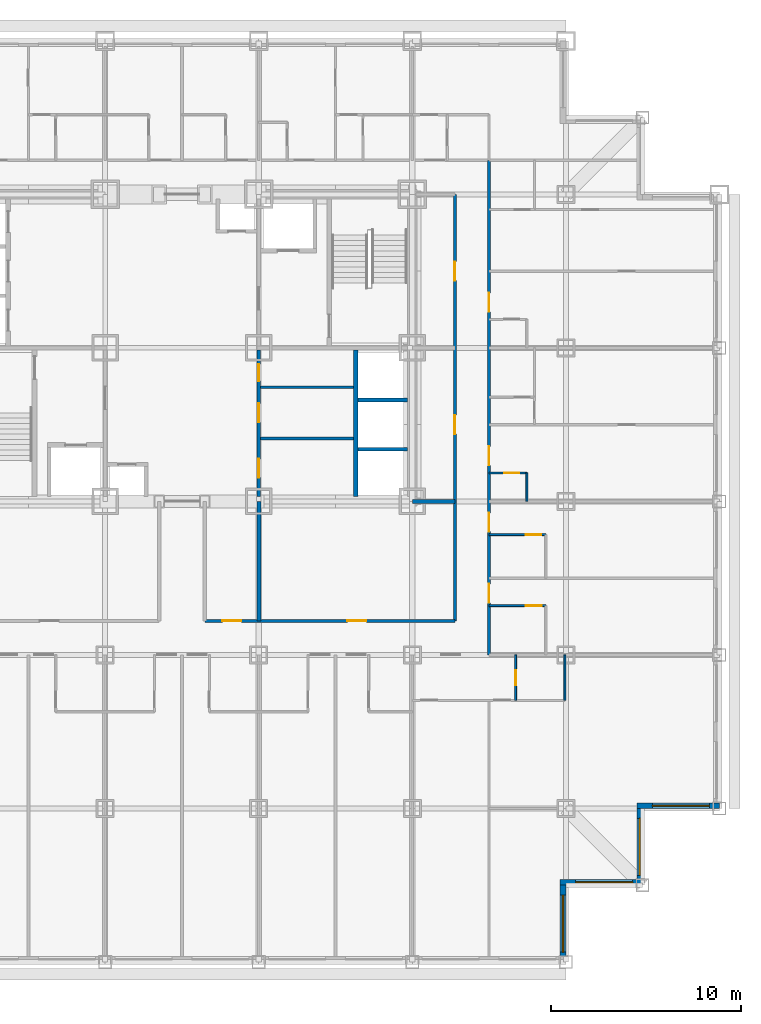
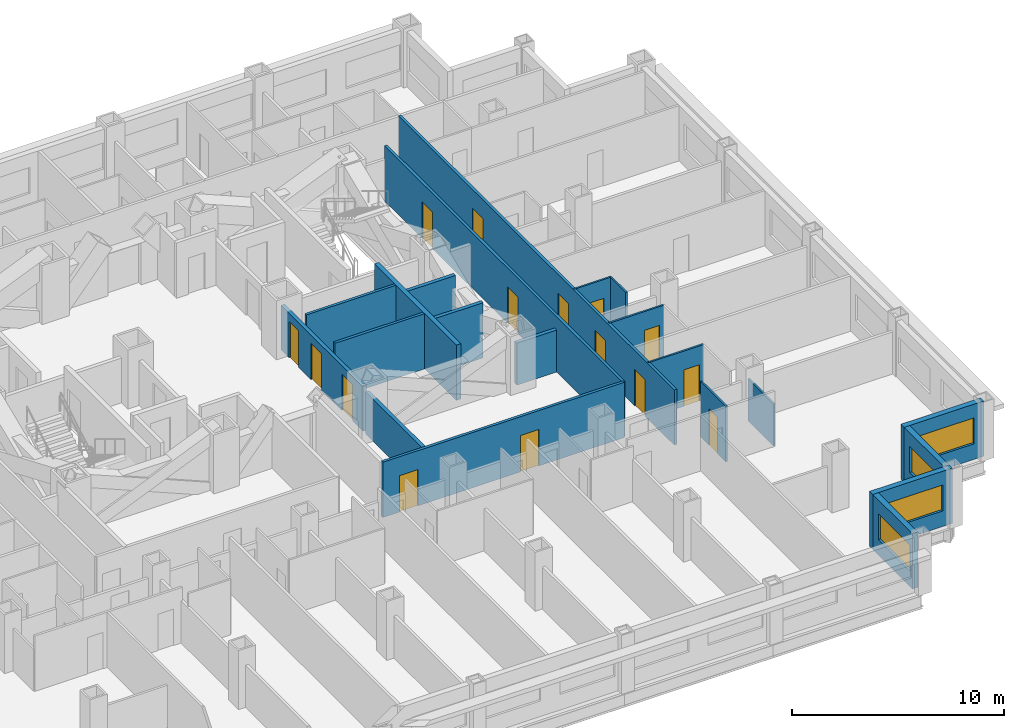
# One storey, part 6 of 11: 21 walls, 15 doors, 4 windows, 19 openings.
"""IFC4 building model written with IfcOpenShell, lengths in metres."""

from ifc_helpers import new_model, si_unit, direction, frame, frame_2d, origin, place, context, subcontext, project, spatial, rectangle, extrude, material, layer, layer_set, type_object, element, fill, save


model = new_model("IFC4")

# Units and contexts
model_context = context("Model", 3, precision=1e-05, world=origin(), true_north=direction((0.0, 1.0)))
body_context = subcontext(model_context, "Body", "Model", "MODEL_VIEW")
ifc_project = project(units=[si_unit("LENGTHUNIT", "METRE"), si_unit("AREAUNIT", "SQUARE_METRE"), si_unit("VOLUMEUNIT", "CUBIC_METRE"), si_unit("PLANEANGLEUNIT", "RADIAN"), si_unit("MASSUNIT", "GRAM", prefix="KILO")], contexts=[model_context])

# Site, building, storey
site_placement = place(None, origin())
site = spatial("IfcSite", under=ifc_project, at=site_placement, CompositionType="ELEMENT")
building_placement = place(site_placement, origin())
building = spatial("IfcBuilding", under=site, at=building_placement, Name="Kopane Lantern Tower", CompositionType="ELEMENT")
storey_placement = place(building_placement, frame((0.0, 0.0, 84.0)))
storey = spatial("IfcBuildingStorey", under=building, at=storey_placement, Name="L21", CompositionType="ELEMENT", Elevation=84.0)

# Wall, opening, door
ifc_material_1 = material(Name="Moisture-resistant board on steel studs", Category="steel")
ifc_layer_1 = layer(ifc_material_1, 0.10009765625)
ifc_layer_set_1 = layer_set([ifc_layer_1], Name="BATHROOM WALL 100")
wall_type_1 = type_object("IfcWallType", Name="BATHROOM WALL 100", PredefinedType="PARTITIONING", material=ifc_layer_set_1)
wall_1_placement = place(storey_placement, frame((44.550048828125, 18.800048828125, 0.0), z_axis=(0.0, 0.0, 1.0), x_axis=(1.0, 0.0, 0.0)))
wall_1 = element("IfcWall", 1, at=wall_1_placement, inside=storey, type_object=wall_type_1, Name="Bathroom Wall 100 L21", PredefinedType="PARTITIONING", context=body_context, shape_type="SweptSolid", body=[
    extrude(rectangle(XDim=3.0, YDim=0.10009765625, at=frame_2d((1.5, 0.0))), origin(), (0.0, 0.0, 1.0), 3.18994140625),
])
opening_1_placement = place(wall_1_placement, frame((1.925048828125, 0.0, 0.0)))
opening_1 = element("IfcOpeningElement", 2, at=opening_1_placement, cuts=wall_1, Name="Opening L21-045", PredefinedType="OPENING", context=body_context, shape_type="SweptSolid", body=[
    extrude(rectangle(XDim=0.85009765625, YDim=2.10009765625, at=frame_2d((0.425048828125, 1.050048828125))), frame((0.0, 0.06005859375, 0.0), z_axis=(0.0, -1.0, 0.0), x_axis=(1.0, 0.0, 0.0)), (0.0, 0.0, 1.0), 0.1201171875),
])
ifc_material_2 = material(Name="Timber door set", Category="wood")
door_type_1 = type_object("IfcDoorType", Name="DOOR D4 850x2100", OperationType="SINGLE_SWING_LEFT", PredefinedType="DOOR", material=ifc_material_2)
door_1_placement = place(opening_1_placement, origin())
door_1 = element("IfcDoor", 3, at=door_1_placement, inside=storey, type_object=door_type_1, Name="Door L21-045", OperationType="SINGLE_SWING_LEFT", OverallHeight=2.10009765625, OverallWidth=0.85009765625, PredefinedType="DOOR", context=body_context, shape_type="SweptSolid", body=[
    extrude(rectangle(XDim=0.85009765625, YDim=2.10009765625, at=frame_2d((0.425048828125, 1.050048828125))), frame((0.0, 0.02490234375, 0.0), z_axis=(0.0, -1.0, 0.0), x_axis=(1.0, 0.0, 0.0)), (0.0, 0.0, 1.0), 0.050048828125),
])
fill(opening_1, door_1)

wall_2_placement = place(storey_placement, frame((44.550048828125, 22.550048828125, 0.0), z_axis=(0.0, 0.0, 1.0), x_axis=(1.0, 0.0, 0.0)))
wall_2 = element("IfcWall", 4, at=wall_2_placement, inside=storey, type_object=wall_type_1, Name="Bathroom Wall 100 L21", PredefinedType="PARTITIONING", context=body_context, shape_type="SweptSolid", body=[
    extrude(rectangle(XDim=3.0, YDim=0.10009765625, at=frame_2d((1.5, 0.0))), origin(), (0.0, 0.0, 1.0), 3.18994140625),
])
opening_2_placement = place(wall_2_placement, frame((1.949951171875, 0.0, 0.0)))
opening_2 = element("IfcOpeningElement", 5, at=opening_2_placement, cuts=wall_2, Name="Opening L21-047", PredefinedType="OPENING", context=body_context, shape_type="SweptSolid", body=[
    extrude(rectangle(XDim=0.800048828125, YDim=2.10009765625, at=frame_2d((0.39990234375, 1.050048828125))), frame((0.0, 0.06005859375, 0.0), z_axis=(0.0, -1.0, 0.0), x_axis=(1.0, 0.0, 0.0)), (0.0, 0.0, 1.0), 0.1201171875),
])
ifc_material_3 = material(Name="Timber door set", Category="wood")
door_type_2 = type_object("IfcDoorType", Name="DOOR D2 800x2100", OperationType="SINGLE_SWING_LEFT", PredefinedType="DOOR", material=ifc_material_3)
door_2_placement = place(opening_2_placement, origin())
door_2 = element("IfcDoor", 6, at=door_2_placement, inside=storey, type_object=door_type_2, Name="Door L21-047", OperationType="SINGLE_SWING_LEFT", OverallHeight=2.10009765625, OverallWidth=0.800048828125, PredefinedType="DOOR", context=body_context, shape_type="SweptSolid", body=[
    extrude(rectangle(XDim=0.800048828125, YDim=2.10009765625, at=frame_2d((0.39990234375, 1.050048828125))), frame((0.0, 0.02490234375, 0.0), z_axis=(0.0, -1.0, 0.0), x_axis=(1.0, 0.0, 0.0)), (0.0, 0.0, 1.0), 0.050048828125),
])
fill(opening_2, door_2)

# Wall
wall_3_placement = place(storey_placement, frame((46.550048828125, 24.300048828125, 0.0), z_axis=(0.0, 0.0, 1.0), x_axis=(0.0, 1.0, 0.0)))
element("IfcWall", 7, at=wall_3_placement, inside=storey, type_object=wall_type_1, Name="Bathroom Wall 100 L21", PredefinedType="PARTITIONING", context=body_context, shape_type="SweptSolid", body=[
    extrude(rectangle(XDim=1.5, YDim=0.10009765625, at=frame_2d((0.75, 0.0))), origin(), (0.0, 0.0, 1.0), 3.18994140625),
])

# Wall, opening, door
wall_4_placement = place(storey_placement, frame((44.550048828125, 25.800048828125, 0.0), z_axis=(0.0, 0.0, 1.0), x_axis=(1.0, 0.0, 0.0)))
wall_4 = element("IfcWall", 8, at=wall_4_placement, inside=storey, type_object=wall_type_1, Name="Bathroom Wall 100 L21", PredefinedType="PARTITIONING", context=body_context, shape_type="SweptSolid", body=[
    extrude(rectangle(XDim=2.0, YDim=0.10009765625, at=frame_2d((1.0, 0.0))), origin(), (0.0, 0.0, 1.0), 3.18994140625),
])
opening_3_placement = place(wall_4_placement, frame((0.800048828125, 0.0, 0.0)))
opening_3 = element("IfcOpeningElement", 9, at=opening_3_placement, cuts=wall_4, Name="Opening L21-049", PredefinedType="OPENING", context=body_context, shape_type="SweptSolid", body=[
    extrude(rectangle(XDim=0.800048828125, YDim=2.10009765625, at=frame_2d((0.39990234375, 1.050048828125))), frame((0.0, 0.06005859375, 0.0), z_axis=(0.0, -1.0, 0.0), x_axis=(1.0, 0.0, 0.0)), (0.0, 0.0, 1.0), 0.1201171875),
])
door_3_placement = place(opening_3_placement, origin())
door_3 = element("IfcDoor", 10, at=door_3_placement, inside=storey, type_object=door_type_2, Name="Door L21-049", OperationType="SINGLE_SWING_LEFT", OverallHeight=2.10009765625, OverallWidth=0.800048828125, PredefinedType="DOOR", context=body_context, shape_type="SweptSolid", body=[
    extrude(rectangle(XDim=0.800048828125, YDim=2.10009765625, at=frame_2d((0.39990234375, 1.050048828125))), frame((0.0, 0.02490234375, 0.0), z_axis=(0.0, -1.0, 0.0), x_axis=(1.0, 0.0, 0.0)), (0.0, 0.0, 1.0), 0.050048828125),
])
fill(opening_3, door_3)

wall_5_placement = place(storey_placement, frame((45.949951171875, 16.199951171875, 0.0), z_axis=(0.0, 0.0, 1.0), x_axis=(0.0, -1.0, 0.0)))
wall_5 = element("IfcWall", 11, at=wall_5_placement, inside=storey, type_object=wall_type_1, Name="Bathroom Wall 100 L21", PredefinedType="PARTITIONING", context=body_context, shape_type="SweptSolid", body=[
    extrude(rectangle(XDim=2.39990234375, YDim=0.10009765625, at=frame_2d((1.199951171875, 0.0))), origin(), (0.0, 0.0, 1.0), 3.18994140625),
])
opening_4_placement = place(wall_5_placement, frame((0.800048828125, 0.0, 0.0)))
opening_4 = element("IfcOpeningElement", 12, at=opening_4_placement, cuts=wall_5, Name="Opening L21-063", PredefinedType="OPENING", context=body_context, shape_type="SweptSolid", body=[
    extrude(rectangle(XDim=0.800048828125, YDim=2.10009765625, at=frame_2d((0.39990234375, 1.050048828125))), frame((0.0, 0.06005859375, 0.0), z_axis=(0.0, -1.0, 0.0), x_axis=(1.0, 0.0, 0.0)), (0.0, 0.0, 1.0), 0.1201171875),
])
door_4_placement = place(opening_4_placement, origin())
door_4 = element("IfcDoor", 13, at=door_4_placement, inside=storey, type_object=door_type_2, Name="Door L21-063", OperationType="SINGLE_SWING_LEFT", OverallHeight=2.10009765625, OverallWidth=0.800048828125, PredefinedType="DOOR", context=body_context, shape_type="SweptSolid", body=[
    extrude(rectangle(XDim=0.800048828125, YDim=2.10009765625, at=frame_2d((0.39990234375, 1.050048828125))), frame((0.0, 0.02490234375, 0.0), z_axis=(0.0, -1.0, 0.0), x_axis=(1.0, 0.0, 0.0)), (0.0, 0.0, 1.0), 0.050048828125),
])
fill(opening_4, door_4)

# Walls
wall_6_placement = place(storey_placement, frame((48.550048828125, 16.199951171875, 0.0), z_axis=(0.0, 0.0, 1.0), x_axis=(0.0, -1.0, 0.0)))
element("IfcWall", 14, at=wall_6_placement, inside=storey, type_object=wall_type_1, Name="Bathroom Wall 100 L21", PredefinedType="PARTITIONING", context=body_context, shape_type="SweptSolid", body=[
    extrude(rectangle(XDim=2.39990234375, YDim=0.10009765625, at=frame_2d((1.199951171875, 0.0))), origin(), (0.0, 0.0, 1.0), 2.427734375),
])
ifc_material_4 = material(Name="Gypsum partition EI 60", Category="gypsum")
ifc_layer_2 = layer(ifc_material_4, 0.14990234375)
ifc_layer_set_2 = layer_set([ifc_layer_2], Name="CORE ROOM PARTITION 150 EI 60")
wall_type_2 = type_object("IfcWallType", Name="CORE ROOM PARTITION 150 EI 60", PredefinedType="PARTITIONING", material=ifc_layer_set_2)
for number, where, z_axis, x_axis, name in (
    (15, (32.5, 27.625, 0.0), (0.0, 0.0, 1.0), (1.0, 0.0, 0.0), "Core room partition L21 E1"),
    (16, (32.5, 30.324951171875, 0.0), (0.0, 0.0, 1.0), (1.0, 0.0, 0.0), "Core room partition L21 E2"),
):
    element("IfcWall", number, at=place(storey_placement, frame(where, z_axis=z_axis, x_axis=x_axis)), inside=storey, type_object=wall_type_2, Name=name, PredefinedType="PARTITIONING", context=body_context, shape_type="SweptSolid", body=[
        extrude(rectangle(XDim=4.89990234375, YDim=0.14990234375, at=frame_2d((2.449951171875, 0.0))), origin(), (0.0, 0.0, 1.0), 3.18994140625),
    ])

# Wall, openings, doors
ifc_material_5 = material(Name="Gypsum partition EI 60", Category="gypsum")
ifc_layer_3 = layer(ifc_material_5, 0.199951171875)
ifc_layer_set_3 = layer_set([ifc_layer_3], Name="CORE ROOM WALL 200 EI 60")
wall_type_3 = type_object("IfcWallType", Name="CORE ROOM WALL 200 EI 60", PredefinedType="PARTITIONING", material=ifc_layer_set_3)
wall_7_placement = place(storey_placement, frame((32.39990234375, 24.550048828125, 0.0), z_axis=(0.0, 0.0, 1.0), x_axis=(0.0, 1.0, 0.0)))
wall_7 = element("IfcWall", 17, at=wall_7_placement, inside=storey, type_object=wall_type_3, Name="Core room wall L21 XE", PredefinedType="PARTITIONING", context=body_context, shape_type="SweptSolid", body=[
    extrude(rectangle(XDim=7.75, YDim=0.199951171875, at=frame_2d((3.875, 0.0))), origin(), (0.0, 0.0, 1.0), 2.577880859375),
])
opening_5_placement = place(wall_7_placement, frame((1.0, 0.0, 0.0)))
opening_5 = element("IfcOpeningElement", 18, at=opening_5_placement, cuts=wall_7, Name="Opening 21.C20", PredefinedType="OPENING", context=body_context, shape_type="SweptSolid", body=[
    extrude(rectangle(XDim=1.0, YDim=2.10009765625, at=frame_2d((0.5, 1.050048828125))), frame((0.0, 0.10986328125, 0.0), z_axis=(0.0, -1.0, 0.0), x_axis=(1.0, 0.0, 0.0)), (0.0, 0.0, 1.0), 0.219970703125),
])
opening_6_placement = place(wall_7_placement, frame((3.925048828125, 0.0, 0.0)))
opening_6 = element("IfcOpeningElement", 19, at=opening_6_placement, cuts=wall_7, Name="Opening 21.C21", PredefinedType="OPENING", context=body_context, shape_type="SweptSolid", body=[
    extrude(rectangle(XDim=1.0, YDim=2.10009765625, at=frame_2d((0.5, 1.050048828125))), frame((0.0, 0.10986328125, 0.0), z_axis=(0.0, -1.0, 0.0), x_axis=(1.0, 0.0, 0.0)), (0.0, 0.0, 1.0), 0.219970703125),
])
opening_7_placement = place(wall_7_placement, frame((6.10009765625, 0.0, 0.0)))
opening_7 = element("IfcOpeningElement", 20, at=opening_7_placement, cuts=wall_7, Name="Opening 21.C22", PredefinedType="OPENING", context=body_context, shape_type="SweptSolid", body=[
    extrude(rectangle(XDim=0.89990234375, YDim=2.10009765625, at=frame_2d((0.449951171875, 1.050048828125))), frame((0.0, 0.10986328125, 0.0), z_axis=(0.0, -1.0, 0.0), x_axis=(1.0, 0.0, 0.0)), (0.0, 0.0, 1.0), 0.219970703125),
])
ifc_material_6 = material(Name="Steel door set", Category="steel")
door_type_3 = type_object("IfcDoorType", Name="CORE ROOM DOOR 1000x2100 FD30S", OperationType="SINGLE_SWING_RIGHT", PredefinedType="DOOR", material=ifc_material_6)
door_5_placement = place(opening_5_placement, origin())
door_5 = element("IfcDoor", 21, at=door_5_placement, inside=storey, type_object=door_type_3, Name="Door Guest pantry L21", OperationType="SINGLE_SWING_LEFT", OverallHeight=2.10009765625, OverallWidth=1.0, PredefinedType="DOOR", context=body_context, shape_type="SweptSolid", body=[
    extrude(rectangle(XDim=1.0, YDim=2.10009765625, at=frame_2d((0.5, 1.050048828125))), frame((0.0, 0.02490234375, 0.0), z_axis=(0.0, -1.0, 0.0), x_axis=(1.0, 0.0, 0.0)), (0.0, 0.0, 1.0), 0.050048828125),
])
fill(opening_5, door_5)
door_6_placement = place(opening_6_placement, origin())
door_6 = element("IfcDoor", 22, at=door_6_placement, inside=storey, type_object=door_type_3, Name="Door Ice and vending room L21", OperationType="SINGLE_SWING_LEFT", OverallHeight=2.10009765625, OverallWidth=1.0, PredefinedType="DOOR", context=body_context, shape_type="SweptSolid", body=[
    extrude(rectangle(XDim=1.0, YDim=2.10009765625, at=frame_2d((0.5, 1.050048828125))), frame((0.0, 0.02490234375, 0.0), z_axis=(0.0, -1.0, 0.0), x_axis=(1.0, 0.0, 0.0)), (0.0, 0.0, 1.0), 0.050048828125),
])
fill(opening_6, door_6)
ifc_material_7 = material(Name="Steel door set", Category="steel")
door_type_4 = type_object("IfcDoorType", Name="CORE ROOM DOOR 900x2100 FD60", OperationType="SINGLE_SWING_LEFT", PredefinedType="DOOR", material=ifc_material_7)
door_7_placement = place(opening_7_placement, origin())
door_7 = element("IfcDoor", 23, at=door_7_placement, inside=storey, type_object=door_type_4, Name="Door IT room L21", OperationType="SINGLE_SWING_RIGHT", OverallHeight=2.10009765625, OverallWidth=0.89990234375, PredefinedType="DOOR", context=body_context, shape_type="SweptSolid", body=[
    extrude(rectangle(XDim=0.89990234375, YDim=2.10009765625, at=frame_2d((0.449951171875, 1.050048828125))), frame((0.0, 0.02490234375, 0.0), z_axis=(0.0, -1.0, 0.0), x_axis=(1.0, 0.0, 0.0)), (0.0, 0.0, 1.0), 0.050048828125),
])
fill(opening_7, door_7)

# Wall
ifc_material_8 = material(Name="Gypsum shaft wall EI 120", Category="gypsum")
ifc_layer_4 = layer(ifc_material_8, 0.25)
ifc_layer_set_4 = layer_set([ifc_layer_4], Name="CORE SHAFT WALL 250 EI 120")
wall_type_4 = type_object("IfcWallType", Name="CORE SHAFT WALL 250 EI 120", PredefinedType="SOLIDWALL", material=ifc_layer_set_4)
wall_8_placement = place(storey_placement, frame((37.52490234375, 24.550048828125, 0.0), z_axis=(0.0, 0.0, 1.0), x_axis=(0.0, 1.0, 0.0)))
element("IfcWall", 24, at=wall_8_placement, inside=storey, type_object=wall_type_4, Name="Core shaft wall L21 XLR", PredefinedType="SOLIDWALL", context=body_context, shape_type="SweptSolid", body=[
    extrude(rectangle(XDim=7.75, YDim=0.25, at=frame_2d((3.875, 0.0))), origin(), (0.0, 0.0, 1.0), 3.18994140625),
])

# Wall, openings, doors
ifc_material_9 = material(Name="Gypsum board on steel studs", Category="steel")
ifc_layer_5 = layer(ifc_material_9, 0.14990234375)
ifc_layer_set_5 = layer_set([ifc_layer_5], Name="CORRIDOR WALL 150 EI 60")
wall_type_5 = type_object("IfcWallType", Name="CORRIDOR WALL 150 EI 60", PredefinedType="PARTITIONING", material=ifc_layer_set_5)
wall_9_placement = place(storey_placement, frame((44.550048828125, 16.199951171875, 0.0), z_axis=(0.0, 0.0, 1.0), x_axis=(0.0, 1.0, 0.0)))
wall_9 = element("IfcWall", 25, at=wall_9_placement, inside=storey, type_object=wall_type_5, Name="Corridor Wall 150 Ei 60 L21", PredefinedType="PARTITIONING", context=body_context, shape_type="SweptSolid", body=[
    extrude(rectangle(XDim=26.10009765625, YDim=0.14990234375, at=frame_2d((13.050048828125, 0.0))), origin(), (0.0, 0.0, 1.0), 3.18994140625),
])
opening_8_placement = place(wall_9_placement, frame((2.75, 0.0, 0.0)))
opening_8 = element("IfcOpeningElement", 26, at=opening_8_placement, cuts=wall_9, Name="Opening L21-046", PredefinedType="OPENING", context=body_context, shape_type="SweptSolid", body=[
    extrude(rectangle(XDim=1.0, YDim=2.10009765625, at=frame_2d((0.5, 1.050048828125))), frame((0.0, 0.0849609375, 0.0), z_axis=(0.0, -1.0, 0.0), x_axis=(1.0, 0.0, 0.0)), (0.0, 0.0, 1.0), 0.169921875),
])
opening_9_placement = place(wall_9_placement, frame((6.5, 0.0, 0.0)))
opening_9 = element("IfcOpeningElement", 27, at=opening_9_placement, cuts=wall_9, Name="Opening L21-048", PredefinedType="OPENING", context=body_context, shape_type="SweptSolid", body=[
    extrude(rectangle(XDim=1.0, YDim=2.10009765625, at=frame_2d((0.5, 1.050048828125))), frame((0.0, 0.0849609375, 0.0), z_axis=(0.0, -1.0, 0.0), x_axis=(1.0, 0.0, 0.0)), (0.0, 0.0, 1.0), 0.169921875),
])
opening_10_placement = place(wall_9_placement, frame((10.0, 0.0, 0.0)))
opening_10 = element("IfcOpeningElement", 28, at=opening_10_placement, cuts=wall_9, Name="Opening L21-050", PredefinedType="OPENING", context=body_context, shape_type="SweptSolid", body=[
    extrude(rectangle(XDim=1.0, YDim=2.10009765625, at=frame_2d((0.5, 1.050048828125))), frame((0.0, 0.0849609375, 0.0), z_axis=(0.0, -1.0, 0.0), x_axis=(1.0, 0.0, 0.0)), (0.0, 0.0, 1.0), 0.169921875),
])
opening_11_placement = place(wall_9_placement, frame((18.10009765625, 0.0, 0.0)))
opening_11 = element("IfcOpeningElement", 29, at=opening_11_placement, cuts=wall_9, Name="Opening L21-054", PredefinedType="OPENING", context=body_context, shape_type="SweptSolid", body=[
    extrude(rectangle(XDim=1.0, YDim=2.10009765625, at=frame_2d((0.5, 1.050048828125))), frame((0.0, 0.0849609375, 0.0), z_axis=(0.0, -1.0, 0.0), x_axis=(1.0, 0.0, 0.0)), (0.0, 0.0, 1.0), 0.169921875),
])
ifc_material_10 = material(Name="Steel door set", Category="steel")
door_type_5 = type_object("IfcDoorType", Name="DOOR D1 1000x2100 FD30S", OperationType="SINGLE_SWING_LEFT", PredefinedType="DOOR", material=ifc_material_10)
door_8_placement = place(opening_8_placement, origin())
door_8 = element("IfcDoor", 30, at=door_8_placement, inside=storey, type_object=door_type_5, Name="Door L21-046", OperationType="SINGLE_SWING_RIGHT", OverallHeight=2.10009765625, OverallWidth=1.0, PredefinedType="DOOR", context=body_context, shape_type="SweptSolid", body=[
    extrude(rectangle(XDim=1.0, YDim=2.10009765625, at=frame_2d((0.5, 1.050048828125))), frame((0.0, 0.02490234375, 0.0), z_axis=(0.0, -1.0, 0.0), x_axis=(1.0, 0.0, 0.0)), (0.0, 0.0, 1.0), 0.050048828125),
])
fill(opening_8, door_8)
door_9_placement = place(opening_9_placement, origin())
door_9 = element("IfcDoor", 31, at=door_9_placement, inside=storey, type_object=door_type_5, Name="Door L21-048", OperationType="SINGLE_SWING_RIGHT", OverallHeight=2.10009765625, OverallWidth=1.0, PredefinedType="DOOR", context=body_context, shape_type="SweptSolid", body=[
    extrude(rectangle(XDim=1.0, YDim=2.10009765625, at=frame_2d((0.5, 1.050048828125))), frame((0.0, 0.02490234375, 0.0), z_axis=(0.0, -1.0, 0.0), x_axis=(1.0, 0.0, 0.0)), (0.0, 0.0, 1.0), 0.050048828125),
])
fill(opening_9, door_9)
door_10_placement = place(opening_10_placement, origin())
door_10 = element("IfcDoor", 32, at=door_10_placement, inside=storey, type_object=door_type_5, Name="Door L21-050", OperationType="SINGLE_SWING_RIGHT", OverallHeight=2.10009765625, OverallWidth=1.0, PredefinedType="DOOR", context=body_context, shape_type="SweptSolid", body=[
    extrude(rectangle(XDim=1.0, YDim=2.10009765625, at=frame_2d((0.5, 1.050048828125))), frame((0.0, 0.02490234375, 0.0), z_axis=(0.0, -1.0, 0.0), x_axis=(1.0, 0.0, 0.0)), (0.0, 0.0, 1.0), 0.050048828125),
])
fill(opening_10, door_10)
door_11_placement = place(opening_11_placement, origin())
door_11 = element("IfcDoor", 33, at=door_11_placement, inside=storey, type_object=door_type_5, Name="Door L21-054", OperationType="SINGLE_SWING_RIGHT", OverallHeight=2.10009765625, OverallWidth=1.0, PredefinedType="DOOR", context=body_context, shape_type="SweptSolid", body=[
    extrude(rectangle(XDim=1.0, YDim=2.10009765625, at=frame_2d((0.5, 1.050048828125))), frame((0.0, 0.02490234375, 0.0), z_axis=(0.0, -1.0, 0.0), x_axis=(1.0, 0.0, 0.0)), (0.0, 0.0, 1.0), 0.050048828125),
])
fill(opening_11, door_11)

wall_10_placement = place(storey_placement, frame((42.75, 18.0, 0.0), z_axis=(0.0, 0.0, 1.0), x_axis=(0.0, 1.0, 0.0)))
wall_10 = element("IfcWall", 34, at=wall_10_placement, inside=storey, type_object=wall_type_5, Name="Corridor Wall 150 Ei 60 L21", PredefinedType="PARTITIONING", context=body_context, shape_type="SweptSolid", body=[
    extrude(rectangle(XDim=22.5, YDim=0.14990234375, at=frame_2d((11.25, 0.0))), origin(), (0.0, 0.0, 1.0), 3.18994140625),
])
opening_12_placement = place(wall_10_placement, frame((9.85009765625, 0.0, 0.0)))
opening_12 = element("IfcOpeningElement", 35, at=opening_12_placement, cuts=wall_10, Name="Opening L21-003", PredefinedType="OPENING", context=body_context, shape_type="SweptSolid", body=[
    extrude(rectangle(XDim=1.0, YDim=2.10009765625, at=frame_2d((0.5, 1.050048828125))), frame((0.0, 0.0849609375, 0.0), z_axis=(0.0, -1.0, 0.0), x_axis=(1.0, 0.0, 0.0)), (0.0, 0.0, 1.0), 0.169921875),
])
opening_13_placement = place(wall_10_placement, frame((17.949951171875, 0.0, 0.0)))
opening_13 = element("IfcOpeningElement", 36, at=opening_13_placement, cuts=wall_10, Name="Opening L21-004", PredefinedType="OPENING", context=body_context, shape_type="SweptSolid", body=[
    extrude(rectangle(XDim=1.0, YDim=2.10009765625, at=frame_2d((0.5, 1.050048828125))), frame((0.0, 0.0849609375, 0.0), z_axis=(0.0, -1.0, 0.0), x_axis=(1.0, 0.0, 0.0)), (0.0, 0.0, 1.0), 0.169921875),
])
ifc_material_11 = material(Name="Steel door set", Category="steel")
door_type_6 = type_object("IfcDoorType", Name="DOOR D5 1000x2100 FD60", OperationType="SINGLE_SWING_LEFT", PredefinedType="DOOR", material=ifc_material_11)
door_12_placement = place(opening_12_placement, origin())
door_12 = element("IfcDoor", 37, at=door_12_placement, inside=storey, type_object=door_type_6, Name="Door L21-003", OperationType="SINGLE_SWING_LEFT", OverallHeight=2.10009765625, OverallWidth=1.0, PredefinedType="DOOR", context=body_context, shape_type="SweptSolid", body=[
    extrude(rectangle(XDim=1.0, YDim=2.10009765625, at=frame_2d((0.5, 1.050048828125))), frame((0.0, 0.02490234375, 0.0), z_axis=(0.0, -1.0, 0.0), x_axis=(1.0, 0.0, 0.0)), (0.0, 0.0, 1.0), 0.050048828125),
])
fill(opening_12, door_12)
door_13_placement = place(opening_13_placement, origin())
door_13 = element("IfcDoor", 38, at=door_13_placement, inside=storey, type_object=door_type_6, Name="Door L21-004", OperationType="SINGLE_SWING_RIGHT", OverallHeight=2.10009765625, OverallWidth=1.0, PredefinedType="DOOR", context=body_context, shape_type="SweptSolid", body=[
    extrude(rectangle(XDim=1.0, YDim=2.10009765625, at=frame_2d((0.5, 1.050048828125))), frame((0.0, 0.02490234375, 0.0), z_axis=(0.0, -1.0, 0.0), x_axis=(1.0, 0.0, 0.0)), (0.0, 0.0, 1.0), 0.050048828125),
])
fill(opening_13, door_13)

wall_11_placement = place(storey_placement, frame((29.56005859375, 18.0, 0.0), z_axis=(0.0, 0.0, 1.0), x_axis=(1.0, 0.0, 0.0)))
wall_11 = element("IfcWall", 39, at=wall_11_placement, inside=storey, type_object=wall_type_5, Name="Corridor Wall 150 Ei 60 L21", PredefinedType="PARTITIONING", context=body_context, shape_type="SweptSolid", body=[
    extrude(rectangle(XDim=13.18994140625, YDim=0.14990234375, at=frame_2d((6.594970703125, 0.0))), origin(), (0.0, 0.0, 1.0), 3.18994140625),
])
opening_14_placement = place(wall_11_placement, frame((0.918701171875, 0.0, 0.0)))
opening_14 = element("IfcOpeningElement", 40, at=opening_14_placement, cuts=wall_11, Name="Opening L21-007", PredefinedType="OPENING", context=body_context, shape_type="SweptSolid", body=[
    extrude(rectangle(XDim=1.0, YDim=2.10009765625, at=frame_2d((0.5, 1.050048828125))), frame((0.0, 0.0849609375, 0.0), z_axis=(0.0, -1.0, 0.0), x_axis=(1.0, 0.0, 0.0)), (0.0, 0.0, 1.0), 0.169921875),
])
opening_15_placement = place(wall_11_placement, frame((7.5185546875, 0.0, 0.0)))
opening_15 = element("IfcOpeningElement", 41, at=opening_15_placement, cuts=wall_11, Name="Opening L21-008", PredefinedType="OPENING", context=body_context, shape_type="SweptSolid", body=[
    extrude(rectangle(XDim=1.0, YDim=2.10009765625, at=frame_2d((0.5, 1.050048828125))), frame((0.0, 0.0849609375, 0.0), z_axis=(0.0, -1.0, 0.0), x_axis=(1.0, 0.0, 0.0)), (0.0, 0.0, 1.0), 0.169921875),
])
door_14_placement = place(opening_14_placement, origin())
door_14 = element("IfcDoor", 42, at=door_14_placement, inside=storey, type_object=door_type_6, Name="Door L21-007", OperationType="SINGLE_SWING_LEFT", OverallHeight=2.10009765625, OverallWidth=1.0, PredefinedType="DOOR", context=body_context, shape_type="SweptSolid", body=[
    extrude(rectangle(XDim=1.0, YDim=2.10009765625, at=frame_2d((0.5, 1.050048828125))), frame((0.0, 0.02490234375, 0.0), z_axis=(0.0, -1.0, 0.0), x_axis=(1.0, 0.0, 0.0)), (0.0, 0.0, 1.0), 0.050048828125),
])
fill(opening_14, door_14)
door_15_placement = place(opening_15_placement, origin())
door_15 = element("IfcDoor", 43, at=door_15_placement, inside=storey, type_object=door_type_6, Name="Door L21-008", OperationType="SINGLE_SWING_RIGHT", OverallHeight=2.10009765625, OverallWidth=1.0, PredefinedType="DOOR", context=body_context, shape_type="SweptSolid", body=[
    extrude(rectangle(XDim=1.0, YDim=2.10009765625, at=frame_2d((0.5, 1.050048828125))), frame((0.0, 0.02490234375, 0.0), z_axis=(0.0, -1.0, 0.0), x_axis=(1.0, 0.0, 0.0)), (0.0, 0.0, 1.0), 0.050048828125),
])
fill(opening_15, door_15)

# Wall, opening, window
ifc_material_12 = material(Name="Terracotta rainscreen on light steel framing", Category="masonry")
ifc_layer_6 = layer(ifc_material_12, 0.300048828125)
ifc_layer_set_6 = layer_set([ifc_layer_6], Name="EXTERNAL WALL EW1 300 TERRACOTTA")
wall_type_6 = type_object("IfcWallType", Name="EXTERNAL WALL EW1 300 TERRACOTTA", PredefinedType="SOLIDWALL", material=ifc_layer_set_6)
wall_12_placement = place(storey_placement, frame((48.449951171875, 0.300048828125, 0.0), z_axis=(0.0, 0.0, 1.0), x_axis=(0.0, 1.0, 0.0)))
wall_12 = element("IfcWall", 44, at=wall_12_placement, inside=storey, type_object=wall_type_6, Name="External wall E L21", PredefinedType="SOLIDWALL", context=body_context, shape_type="SweptSolid", body=[
    extrude(rectangle(XDim=3.75, YDim=0.300048828125, at=frame_2d((1.875, 0.0))), origin(), (0.0, 0.0, 1.0), 3.18994140625),
])
opening_16_placement = place(wall_12_placement, frame((0.22509765625, 0.0, 0.89990234375)))
opening_16 = element("IfcOpeningElement", 45, at=opening_16_placement, cuts=wall_12, Name="Opening WR300150", PredefinedType="OPENING", context=body_context, shape_type="SweptSolid", body=[
    extrude(rectangle(XDim=3.0, YDim=1.5, at=frame_2d((1.5, 0.75))), frame((0.0, 0.159912109375, 0.0), z_axis=(0.0, -1.0, 0.0), x_axis=(1.0, 0.0, 0.0)), (0.0, 0.0, 1.0), 0.320068359375),
])
ifc_material_13 = material(Name="Aluminium and clear glass", Category="aluminium")
window_type = type_object("IfcWindowType", Name="RIBBON WINDOW WR300150 3000x1500", PartitioningType="SINGLE_PANEL", PredefinedType="WINDOW", material=ifc_material_13)
window_1_placement = place(opening_16_placement, origin())
window_1 = element("IfcWindow", 46, at=window_1_placement, inside=storey, type_object=window_type, Name="Window E L21", OverallHeight=1.5, OverallWidth=3.0, PartitioningType="SINGLE_PANEL", PredefinedType="WINDOW", context=body_context, shape_type="SweptSolid", body=[
    extrude(rectangle(XDim=3.0, YDim=1.5, at=frame_2d((1.5, 0.75))), frame((0.0, 0.030029296875, 0.0), z_axis=(0.0, -1.0, 0.0), x_axis=(1.0, 0.0, 0.0)), (0.0, 0.0, 1.0), 0.06005859375),
])
fill(opening_16, window_1)

wall_13_placement = place(storey_placement, frame((48.300048828125, 4.199951171875, 0.0), z_axis=(0.0, 0.0, 1.0), x_axis=(1.0, 0.0, 0.0)))
wall_13 = element("IfcWall", 47, at=wall_13_placement, inside=storey, type_object=wall_type_6, Name="External wall S L21", PredefinedType="SOLIDWALL", context=body_context, shape_type="SweptSolid", body=[
    extrude(rectangle(XDim=4.349853515625, YDim=0.300048828125, at=frame_2d((2.1748046875, 0.0))), origin(), (0.0, 0.0, 1.0), 3.18994140625),
])
opening_17_placement = place(wall_13_placement, frame((0.824951171875, 0.0, 0.89990234375)))
opening_17 = element("IfcOpeningElement", 48, at=opening_17_placement, cuts=wall_13, Name="Opening WR300150", PredefinedType="OPENING", context=body_context, shape_type="SweptSolid", body=[
    extrude(rectangle(XDim=3.0, YDim=1.5, at=frame_2d((1.5, 0.75))), frame((0.0, 0.159912109375, 0.0), z_axis=(0.0, -1.0, 0.0), x_axis=(1.0, 0.0, 0.0)), (0.0, 0.0, 1.0), 0.320068359375),
])
window_2_placement = place(opening_17_placement, origin())
window_2 = element("IfcWindow", 49, at=window_2_placement, inside=storey, type_object=window_type, Name="Window S L21", OverallHeight=1.5, OverallWidth=3.0, PartitioningType="SINGLE_PANEL", PredefinedType="WINDOW", context=body_context, shape_type="SweptSolid", body=[
    extrude(rectangle(XDim=3.0, YDim=1.5, at=frame_2d((1.5, 0.75))), frame((0.0, 0.030029296875, 0.0), z_axis=(0.0, -1.0, 0.0), x_axis=(1.0, 0.0, 0.0)), (0.0, 0.0, 1.0), 0.06005859375),
])
fill(opening_17, window_2)

wall_14_placement = place(storey_placement, frame((52.5, 4.35009765625, 0.0), z_axis=(0.0, 0.0, 1.0), x_axis=(0.0, 1.0, 0.0)))
wall_14 = element("IfcWall", 50, at=wall_14_placement, inside=storey, type_object=wall_type_6, Name="External wall E L21", PredefinedType="SOLIDWALL", context=body_context, shape_type="SweptSolid", body=[
    extrude(rectangle(XDim=3.75, YDim=0.300048828125, at=frame_2d((1.875, 0.0))), origin(), (0.0, 0.0, 1.0), 3.18994140625),
])
opening_18_placement = place(wall_14_placement, frame((0.22509765625, 0.0, 0.89990234375)))
opening_18 = element("IfcOpeningElement", 51, at=opening_18_placement, cuts=wall_14, Name="Opening WR300150", PredefinedType="OPENING", context=body_context, shape_type="SweptSolid", body=[
    extrude(rectangle(XDim=3.0, YDim=1.5, at=frame_2d((1.5, 0.75))), frame((0.0, 0.159912109375, 0.0), z_axis=(0.0, -1.0, 0.0), x_axis=(1.0, 0.0, 0.0)), (0.0, 0.0, 1.0), 0.320068359375),
])
window_3_placement = place(opening_18_placement, origin())
window_3 = element("IfcWindow", 52, at=window_3_placement, inside=storey, type_object=window_type, Name="Window E L21", OverallHeight=1.5, OverallWidth=3.0, PartitioningType="SINGLE_PANEL", PredefinedType="WINDOW", context=body_context, shape_type="SweptSolid", body=[
    extrude(rectangle(XDim=3.0, YDim=1.5, at=frame_2d((1.5, 0.75))), frame((0.0, 0.030029296875, 0.0), z_axis=(0.0, -1.0, 0.0), x_axis=(1.0, 0.0, 0.0)), (0.0, 0.0, 1.0), 0.06005859375),
])
fill(opening_18, window_3)

wall_15_placement = place(storey_placement, frame((52.35009765625, 8.25, 0.0), z_axis=(0.0, 0.0, 1.0), x_axis=(1.0, 0.0, 0.0)))
wall_15 = element("IfcWall", 53, at=wall_15_placement, inside=storey, type_object=wall_type_6, Name="External wall S L21", PredefinedType="SOLIDWALL", context=body_context, shape_type="SweptSolid", body=[
    extrude(rectangle(XDim=4.349853515625, YDim=0.300048828125, at=frame_2d((2.1748046875, 0.0))), origin(), (0.0, 0.0, 1.0), 3.18994140625),
])
opening_19_placement = place(wall_15_placement, frame((0.824951171875, 0.0, 0.89990234375)))
opening_19 = element("IfcOpeningElement", 54, at=opening_19_placement, cuts=wall_15, Name="Opening WR300150", PredefinedType="OPENING", context=body_context, shape_type="SweptSolid", body=[
    extrude(rectangle(XDim=3.0, YDim=1.5, at=frame_2d((1.5, 0.75))), frame((0.0, 0.159912109375, 0.0), z_axis=(0.0, -1.0, 0.0), x_axis=(1.0, 0.0, 0.0)), (0.0, 0.0, 1.0), 0.320068359375),
])
window_4_placement = place(opening_19_placement, origin())
window_4 = element("IfcWindow", 55, at=window_4_placement, inside=storey, type_object=window_type, Name="Window S L21", OverallHeight=1.5, OverallWidth=3.0, PartitioningType="SINGLE_PANEL", PredefinedType="WINDOW", context=body_context, shape_type="SweptSolid", body=[
    extrude(rectangle(XDim=3.0, YDim=1.5, at=frame_2d((1.5, 0.75))), frame((0.0, 0.030029296875, 0.0), z_axis=(0.0, -1.0, 0.0), x_axis=(1.0, 0.0, 0.0)), (0.0, 0.0, 1.0), 0.06005859375),
])
fill(opening_19, window_4)

# Walls
ifc_material_14 = material(Name="Concrete masonry", Category="masonry")
ifc_layer_7 = layer(ifc_material_14, 0.199951171875)
ifc_layer_set_7 = layer_set([ifc_layer_7], Name="PLANT ROOM WALL 200 EI 120")
wall_type_7 = type_object("IfcWallType", Name="PLANT ROOM WALL 200 EI 120", PredefinedType="SOLIDWALL", material=ifc_layer_set_7)
wall_16_placement = place(storey_placement, frame((32.406982421875, 18.0, 0.0), z_axis=(0.0, 0.0, 1.0), x_axis=(0.0, 1.0, 0.0)))
element("IfcWall", 56, at=wall_16_placement, inside=storey, type_object=wall_type_7, Name="Plant Room Wall 200 Ei 120 L21", PredefinedType="SOLIDWALL", context=body_context, shape_type="SweptSolid", body=[
    extrude(rectangle(XDim=6.300048828125, YDim=0.199951171875, at=frame_2d((3.14990234375, 0.0))), origin(), (0.0, 0.0, 1.0), 2.427734375),
])
wall_17_placement = place(storey_placement, frame((40.5, 24.300048828125, 0.0), z_axis=(0.0, 0.0, 1.0), x_axis=(1.0, 0.0, 0.0)))
element("IfcWall", 57, at=wall_17_placement, inside=storey, type_object=wall_type_7, Name="Plant Room Wall 200 Ei 120 L21", PredefinedType="SOLIDWALL", context=body_context, shape_type="SweptSolid", body=[
    extrude(rectangle(XDim=2.25, YDim=0.199951171875, at=frame_2d((1.125, 0.0))), origin(), (0.0, 0.0, 1.0), 2.427734375),
])
ifc_material_15 = material(Name="Gypsum shaft wall EI 120", Category="gypsum")
ifc_layer_8 = layer(ifc_material_15, 0.199951171875)
ifc_layer_set_8 = layer_set([ifc_layer_8], Name="SHAFT WALL 200 EI 120")
wall_type_8 = type_object("IfcWallType", Name="SHAFT WALL 200 EI 120", PredefinedType="SOLIDWALL", material=ifc_layer_set_8)
for number, where, z_axis, x_axis, name in (
    (58, (37.64990234375, 27.050048828125, 0.0), (0.0, 0.0, 1.0), (1.0, 0.0, 0.0), "Core shaft wall L21 YLR12"),
    (59, (37.64990234375, 29.64990234375, 0.0), (0.0, 0.0, 1.0), (1.0, 0.0, 0.0), "Core shaft wall L21 YLR23"),
):
    element("IfcWall", number, at=place(storey_placement, frame(where, z_axis=z_axis, x_axis=x_axis)), inside=storey, type_object=wall_type_8, Name=name, PredefinedType="SOLIDWALL", context=body_context, shape_type="SweptSolid", body=[
        extrude(rectangle(XDim=2.60009765625, YDim=0.199951171875, at=frame_2d((1.300048828125, 0.0))), origin(), (0.0, 0.0, 1.0), 3.18994140625),
    ])

save(model, "model.ifc")
